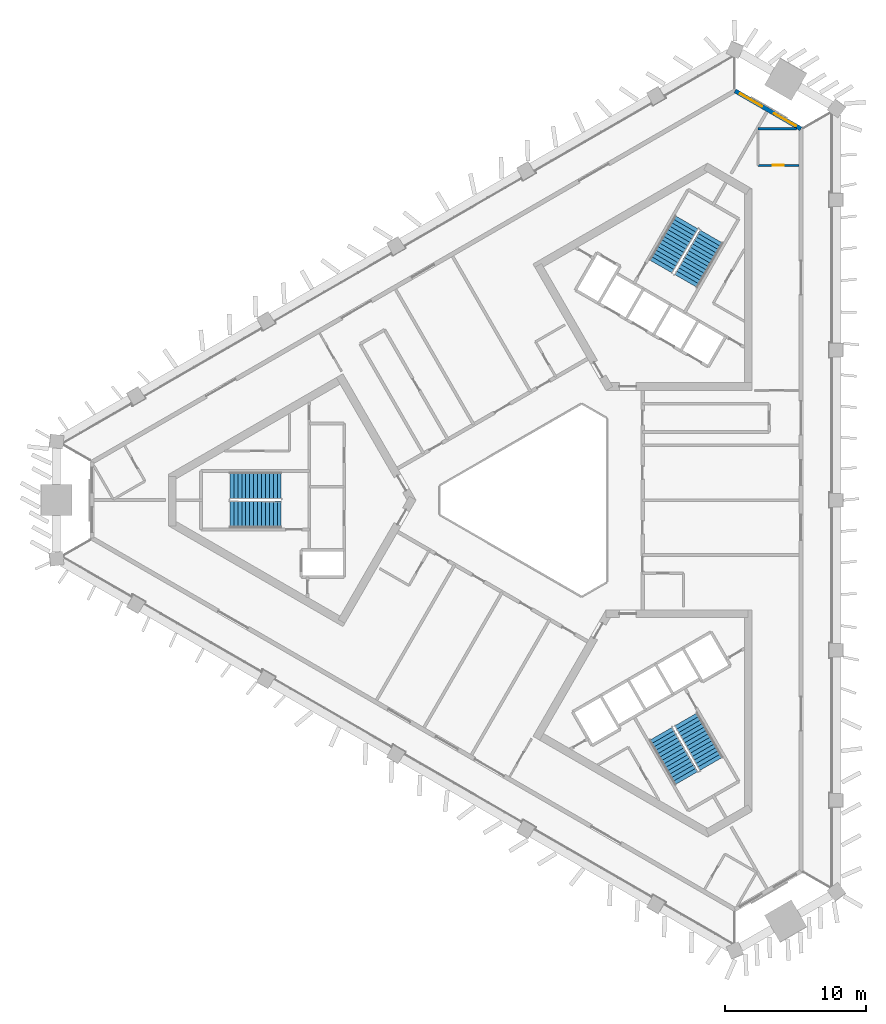
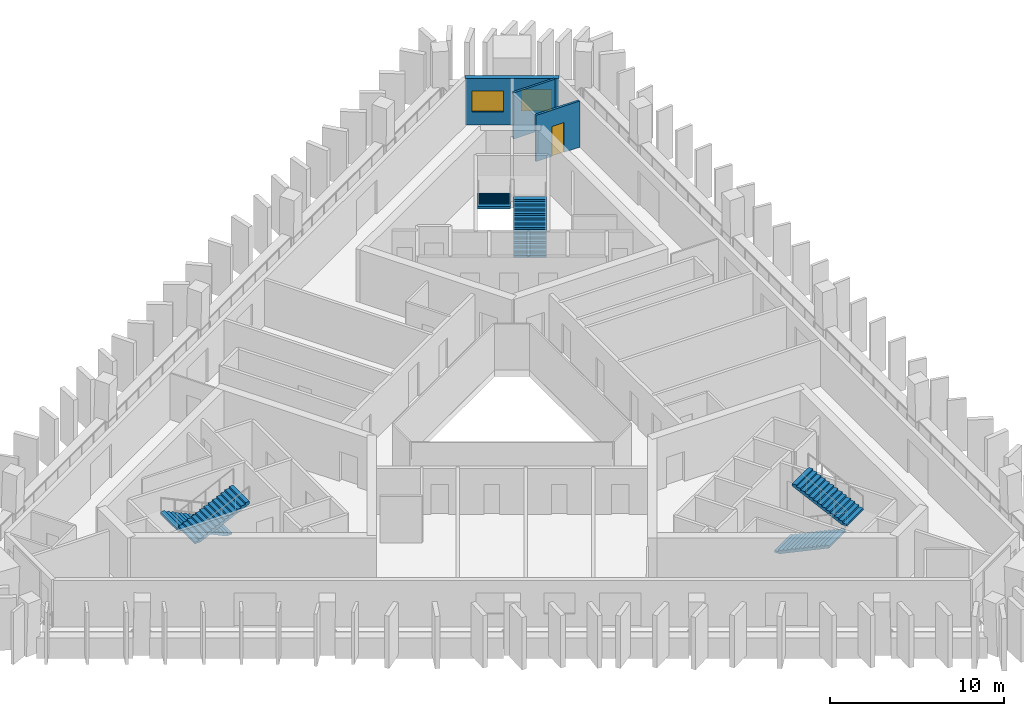
# One storey, part 6 of 9: 6 stair flights, 3 walls, 2 windows, 1 door, 3 openings, 3 elements without a shape of their own.
"""IFC4 building model written with IfcOpenShell, lengths in metres."""

from ifc_helpers import new_model, si_unit, direction, frame, frame_2d, origin, place, context, subcontext, project, spatial, polyline, rectangle, outline, extrude, material, layer, layer_set, type_object, element, fill, aggregate, save


model = new_model("IFC4")

# Units and contexts
model_context = context("Model", 3, precision=1e-05, world=origin(), true_north=direction((0.0, 1.0)))
body_context = subcontext(model_context, "Body", "Model", "MODEL_VIEW")
ifc_project = project(units=[si_unit("LENGTHUNIT", "METRE"), si_unit("AREAUNIT", "SQUARE_METRE"), si_unit("VOLUMEUNIT", "CUBIC_METRE"), si_unit("PLANEANGLEUNIT", "RADIAN"), si_unit("MASSUNIT", "GRAM", prefix="KILO")], contexts=[model_context])

# Site, building, storey
site_placement = place(None, origin())
site = spatial("IfcSite", under=ifc_project, at=site_placement, CompositionType="ELEMENT")
building_placement = place(site_placement, origin())
building = spatial("IfcBuilding", under=site, at=building_placement, Name="Jabali Bay Hotel Tower and Convention Centre", CompositionType="ELEMENT")
storey_placement = place(building_placement, frame((0.0, 0.0, 185.89990234375)))
storey = spatial("IfcBuildingStorey", under=building, at=storey_placement, Name="L45", CompositionType="ELEMENT", Elevation=185.89990234375)

# Wall, openings, windows
ifc_material_1 = material(Name="Concrete C40", Category="concrete")
ifc_layer_1 = layer(ifc_material_1, 0.300048828125)
ifc_layer_set_1 = layer_set([ifc_layer_1], Name="Concrete C40")
wall_type_1 = type_object("IfcWallType", Name="External wall 300", PredefinedType="SOLIDWALL", material=ifc_layer_set_1)
wall_1_placement = place(storey_placement, frame((88.676513671875, 109.087890625, 0.0), z_axis=(0.0, 0.0, 1.0), x_axis=(0.866025202232, -0.500000349099, 0.0)))
wall_1 = element("IfcWall", 1, at=wall_1_placement, inside=storey, type_object=wall_type_1, Name="External wall north-east chamfer L45", PredefinedType="SOLIDWALL", context=body_context, shape_type="SweptSolid", body=[
    extrude(rectangle(XDim=5.3994140625, YDim=0.300048828125, at=frame_2d((2.69970703125, 0.0))), origin(), (0.0, 0.0, 1.0), 3.25),
])
opening_1_placement = place(wall_1_placement, frame((3.208740234375, 0.0, 0.89990234375)))
opening_1 = element("IfcOpeningElement", 2, at=opening_1_placement, cuts=wall_1, Name="Opening W1", PredefinedType="OPENING", context=body_context, shape_type="SweptSolid", body=[
    extrude(rectangle(XDim=1.800048828125, YDim=1.5, at=frame_2d((0.89990234375, 0.75))), frame((0.0, 0.16064453125, 0.0), z_axis=(0.0, -1.0, 0.0), x_axis=(1.0, 0.0, 0.0)), (0.0, 0.0, 1.0), 0.321044921875),
])
opening_2_placement = place(wall_1_placement, frame((0.406982421875, 0.0, 0.89990234375)))
opening_2 = element("IfcOpeningElement", 3, at=opening_2_placement, cuts=wall_1, Name="Opening W1", PredefinedType="OPENING", context=body_context, shape_type="SweptSolid", body=[
    extrude(rectangle(XDim=1.800048828125, YDim=1.5, at=frame_2d((0.89990234375, 0.75))), frame((0.0, 0.16064453125, 0.0), z_axis=(0.0, -1.0, 0.0), x_axis=(1.0, 0.0, 0.0)), (0.0, 0.0, 1.0), 0.321044921875),
])
ifc_material_2 = material(Name="Glass", Category="glass")
window_type = type_object("IfcWindowType", Name="Window 1800 x 1500", PartitioningType="SINGLE_PANEL", PredefinedType="WINDOW", material=ifc_material_2)
window_1_placement = place(opening_1_placement, origin())
window_1 = element("IfcWindow", 4, at=window_1_placement, inside=storey, type_object=window_type, Name="Window 4504", OverallHeight=1.5, OverallWidth=1.800048828125, PartitioningType="SINGLE_PANEL", PredefinedType="WINDOW", context=body_context, shape_type="SweptSolid", body=[
    extrude(rectangle(XDim=1.800048828125, YDim=1.5, at=frame_2d((0.89990234375, 0.75))), frame((0.0, 0.030029296875, 0.0), z_axis=(0.0, -1.0, 0.0), x_axis=(1.0, 0.0, 0.0)), (0.0, 0.0, 1.0), 0.06005859375),
])
fill(opening_1, window_1)
window_2_placement = place(opening_2_placement, origin())
window_2 = element("IfcWindow", 5, at=window_2_placement, inside=storey, type_object=window_type, Name="Window 4506", OverallHeight=1.5, OverallWidth=1.800048828125, PartitioningType="SINGLE_PANEL", PredefinedType="WINDOW", context=body_context, shape_type="SweptSolid", body=[
    extrude(rectangle(XDim=1.800048828125, YDim=1.5, at=frame_2d((0.89990234375, 0.75))), frame((0.0, 0.030029296875, 0.0), z_axis=(0.0, -1.0, 0.0), x_axis=(1.0, 0.0, 0.0)), (0.0, 0.0, 1.0), 0.06005859375),
])
fill(opening_2, window_2)

# Wall, opening, door
ifc_material_3 = material(Name="Plasterboard on steel stud", Category="steel")
ifc_layer_2 = layer(ifc_material_3, 0.14990234375)
ifc_layer_set_2 = layer_set([ifc_layer_2], Name="Plasterboard on steel stud")
wall_type_2 = type_object("IfcWallType", Name="Partition 150 wet", PredefinedType="PARTITIONING", material=ifc_layer_set_2)
wall_2_placement = place(storey_placement, frame((93.20166015625, 103.794189453125, 0.0), z_axis=(0.0, 0.0, 1.0), x_axis=(-1.0, 0.0, 0.0)))
wall_2 = element("IfcWall", 6, at=wall_2_placement, inside=storey, type_object=wall_type_2, Name="Partition P03 L45 011", PredefinedType="PARTITIONING", context=body_context, shape_type="SweptSolid", body=[
    extrude(rectangle(XDim=2.900146484375, YDim=0.14990234375, at=frame_2d((1.4501953125, 0.0))), origin(), (0.0, 0.0, 1.0), 3.25),
])
opening_3_placement = place(wall_2_placement, frame((1.050048828125, 0.0, 0.0)))
opening_3 = element("IfcOpeningElement", 7, at=opening_3_placement, cuts=wall_2, Name="Opening 4507", PredefinedType="OPENING", context=body_context, shape_type="SweptSolid", body=[
    extrude(rectangle(XDim=0.800048828125, YDim=2.10009765625, at=frame_2d((0.39990234375, 1.050048828125))), frame((0.0, 0.08544921875, 0.0), z_axis=(0.0, -1.0, 0.0), x_axis=(1.0, 0.0, 0.0)), (0.0, 0.0, 1.0), 0.1708984375),
])
ifc_material_4 = material(Name="Timber", Category="wood")
door_type = type_object("IfcDoorType", Name="En-suite door 800 x 2100", OperationType="NOTDEFINED", PredefinedType="NOTDEFINED", material=ifc_material_4)
door_placement = place(opening_3_placement, origin())
door = element("IfcDoor", 8, at=door_placement, inside=storey, type_object=door_type, Name="Door 4507", OperationType="SINGLE_SWING_RIGHT", OverallHeight=2.10009765625, OverallWidth=0.800048828125, PredefinedType="NOTDEFINED", context=body_context, shape_type="SweptSolid", body=[
    extrude(rectangle(XDim=0.800048828125, YDim=2.10009765625, at=frame_2d((0.39990234375, 1.050048828125))), frame((0.0, 0.02490234375, 0.0), z_axis=(0.0, -1.0, 0.0), x_axis=(1.0, 0.0, 0.0)), (0.0, 0.0, 1.0), 0.050048828125),
])
fill(opening_3, door)

# Wall
wall_3_placement = place(storey_placement, frame((90.301513671875, 106.394287109375, 0.0), z_axis=(0.0, 0.0, 1.0), x_axis=(1.0, 0.0, 0.0)))
element("IfcWall", 9, at=wall_3_placement, inside=storey, type_object=wall_type_2, Name="Partition P03 L45 013", PredefinedType="PARTITIONING", context=body_context, shape_type="SweptSolid", body=[
    extrude(rectangle(XDim=2.742431640625, YDim=0.14990234375, at=frame_2d((1.37109375, 0.0))), origin(), (0.0, 0.0, 1.0), 3.25),
])

# Stair, stair flights
stair_type = type_object("IfcStairType", Name="Exit stair 1900", PredefinedType="HALF_TURN_STAIR", material=ifc_material_1)
stair_1_placement = place(storey_placement, origin())
stair_1 = element("IfcStair", 10, at=stair_1_placement, inside=storey, type_object=stair_type, Name="L45 Exit Stair 1", PredefinedType="HALF_TURN_STAIR")
stair_flight_type = type_object("IfcStairFlightType", Name="Stair flight concrete 150", PredefinedType="STRAIGHT", material=ifc_material_1)
stair_flight_1_placement = place(storey_placement, frame((56.419921875, 81.02490234375, 0.0), z_axis=(0.0, 0.0, 1.0), x_axis=(-1.0, 0.0, 0.0)))
stair_flight_1 = element("IfcStairFlight", 11, at=stair_flight_1_placement, type_object=stair_flight_type, Name="ST1 flight 1", NumberOfRisers=14, NumberOfTreads=13, PredefinedType="STRAIGHT", RiserHeight=0.132142857, TreadLength=0.28, context=body_context, shape_type="SweptSolid", body=[
    extrude(outline(polyline([(0.0, 0.0), (0.0, 0.132080078125), (0.280029296875, 0.132080078125), (0.280029296875, 0.264404296875), (0.56005859375, 0.264404296875), (0.56005859375, 0.396484375), (0.840087890625, 0.396484375), (0.840087890625, 0.528564453125), (1.1201171875, 0.528564453125), (1.1201171875, 0.66064453125), (1.39990234375, 0.66064453125), (1.39990234375, 0.79296875), (1.679931640625, 0.79296875), (1.679931640625, 0.925048828125), (1.9599609375, 0.925048828125), (1.9599609375, 1.05712890625), (2.239990234375, 1.05712890625), (2.239990234375, 1.189208984375), (2.52001953125, 1.189208984375), (2.52001953125, 1.321533203125), (2.800048828125, 1.321533203125), (2.800048828125, 1.45361328125), (3.080078125, 1.45361328125), (3.080078125, 1.585693359375), (3.360107421875, 1.585693359375), (3.360107421875, 1.7177734375), (3.639892578125, 1.7177734375), (3.639892578125, 1.85009765625), (3.639892578125, 1.552001953125), (0.351318359375, 0.0), (0.0, 0.0)])), frame((0.0, 0.949951171875, 0.0), z_axis=(0.0, -1.0, 0.0), x_axis=(1.0, 0.0, 0.0)), (0.0, 0.0, 1.0), 1.89990234375),
])
stair_flight_2_placement = place(storey_placement, frame((52.780029296875, 78.97509765625, 1.85009765625), z_axis=(0.0, 0.0, 1.0), x_axis=(1.0, 0.0, 0.0)))
stair_flight_2 = element("IfcStairFlight", 12, at=stair_flight_2_placement, type_object=stair_flight_type, Name="ST1 flight 2", NumberOfRisers=14, NumberOfTreads=13, PredefinedType="STRAIGHT", RiserHeight=0.132142857, TreadLength=0.28, context=body_context, shape_type="SweptSolid", body=[
    extrude(outline(polyline([(0.0, 0.0), (0.0, 0.132080078125), (0.280029296875, 0.132080078125), (0.280029296875, 0.264404296875), (0.56005859375, 0.264404296875), (0.56005859375, 0.396484375), (0.840087890625, 0.396484375), (0.840087890625, 0.528564453125), (1.1201171875, 0.528564453125), (1.1201171875, 0.66064453125), (1.39990234375, 0.66064453125), (1.39990234375, 0.79296875), (1.679931640625, 0.79296875), (1.679931640625, 0.925048828125), (1.9599609375, 0.925048828125), (1.9599609375, 1.05712890625), (2.239990234375, 1.05712890625), (2.239990234375, 1.189208984375), (2.52001953125, 1.189208984375), (2.52001953125, 1.321533203125), (2.800048828125, 1.321533203125), (2.800048828125, 1.45361328125), (3.080078125, 1.45361328125), (3.080078125, 1.585693359375), (3.360107421875, 1.585693359375), (3.360107421875, 1.7177734375), (3.639892578125, 1.7177734375), (3.639892578125, 1.85009765625), (3.639892578125, 1.552001953125), (0.351318359375, 0.0), (0.0, 0.0)])), frame((0.0, 0.949951171875, 0.0), z_axis=(0.0, -1.0, 0.0), x_axis=(1.0, 0.0, 0.0)), (0.0, 0.0, 1.0), 1.89990234375),
])
aggregate(stair_1, [stair_flight_1, stair_flight_2])

stair_2_placement = place(storey_placement, origin())
stair_2 = element("IfcStair", 13, at=stair_2_placement, inside=storey, type_object=stair_type, Name="L45 Exit Stair 2", PredefinedType="HALF_TURN_STAIR")
stair_flight_3_placement = place(storey_placement, frame((85.177734375, 95.578369140625, 0.0), z_axis=(0.0, 0.0, 1.0), x_axis=(0.5, 0.866025403784, 0.0)))
stair_flight_3 = element("IfcStairFlight", 14, at=stair_flight_3_placement, type_object=stair_flight_type, Name="ST2 flight 1", NumberOfRisers=14, NumberOfTreads=13, PredefinedType="STRAIGHT", RiserHeight=0.132142857, TreadLength=0.28, context=body_context, shape_type="SweptSolid", body=[
    extrude(outline(polyline([(0.0, 0.0), (0.0, 0.132080078125), (0.280029296875, 0.132080078125), (0.280029296875, 0.264404296875), (0.56005859375, 0.264404296875), (0.56005859375, 0.396484375), (0.840087890625, 0.396484375), (0.840087890625, 0.528564453125), (1.1201171875, 0.528564453125), (1.1201171875, 0.66064453125), (1.39990234375, 0.66064453125), (1.39990234375, 0.79296875), (1.679931640625, 0.79296875), (1.679931640625, 0.925048828125), (1.9599609375, 0.925048828125), (1.9599609375, 1.05712890625), (2.239990234375, 1.05712890625), (2.239990234375, 1.189208984375), (2.52001953125, 1.189208984375), (2.52001953125, 1.321533203125), (2.800048828125, 1.321533203125), (2.800048828125, 1.45361328125), (3.080078125, 1.45361328125), (3.080078125, 1.585693359375), (3.360107421875, 1.585693359375), (3.360107421875, 1.7177734375), (3.639892578125, 1.7177734375), (3.639892578125, 1.85009765625), (3.639892578125, 1.552001953125), (0.351318359375, 0.0), (0.0, 0.0)])), frame((0.0, 0.949951171875, 0.0), z_axis=(0.0, -1.0, 0.0), x_axis=(1.0, 0.0, 0.0)), (0.0, 0.0, 1.0), 1.89990234375),
])
stair_flight_4_placement = place(storey_placement, frame((85.222412109375, 99.755615234375, 1.85009765625), z_axis=(0.0, 0.0, 1.0), x_axis=(-0.5, -0.866025403784, 0.0)))
stair_flight_4 = element("IfcStairFlight", 15, at=stair_flight_4_placement, type_object=stair_flight_type, Name="ST2 flight 2", NumberOfRisers=14, NumberOfTreads=13, PredefinedType="STRAIGHT", RiserHeight=0.132142857, TreadLength=0.28, context=body_context, shape_type="SweptSolid", body=[
    extrude(outline(polyline([(0.0, 0.0), (0.0, 0.132080078125), (0.280029296875, 0.132080078125), (0.280029296875, 0.264404296875), (0.56005859375, 0.264404296875), (0.56005859375, 0.396484375), (0.840087890625, 0.396484375), (0.840087890625, 0.528564453125), (1.1201171875, 0.528564453125), (1.1201171875, 0.66064453125), (1.39990234375, 0.66064453125), (1.39990234375, 0.79296875), (1.679931640625, 0.79296875), (1.679931640625, 0.925048828125), (1.9599609375, 0.925048828125), (1.9599609375, 1.05712890625), (2.239990234375, 1.05712890625), (2.239990234375, 1.189208984375), (2.52001953125, 1.189208984375), (2.52001953125, 1.321533203125), (2.800048828125, 1.321533203125), (2.800048828125, 1.45361328125), (3.080078125, 1.45361328125), (3.080078125, 1.585693359375), (3.360107421875, 1.585693359375), (3.360107421875, 1.7177734375), (3.639892578125, 1.7177734375), (3.639892578125, 1.85009765625), (3.639892578125, 1.552001953125), (0.351318359375, 0.0), (0.0, 0.0)])), frame((0.0, 0.949951171875, 0.0), z_axis=(0.0, -1.0, 0.0), x_axis=(1.0, 0.0, 0.0)), (0.0, 0.0, 1.0), 1.89990234375),
])
aggregate(stair_2, [stair_flight_3, stair_flight_4])

stair_3_placement = place(storey_placement, origin())
stair_3 = element("IfcStair", 16, at=stair_3_placement, inside=storey, type_object=stair_type, Name="L45 Exit Stair 3", PredefinedType="HALF_TURN_STAIR")
stair_flight_5_placement = place(storey_placement, frame((83.40234375, 63.396728515625, 0.0), z_axis=(0.0, 0.0, 1.0), x_axis=(0.5, -0.866025403784, 0.0)))
stair_flight_5 = element("IfcStairFlight", 17, at=stair_flight_5_placement, type_object=stair_flight_type, Name="ST3 flight 1", NumberOfRisers=14, NumberOfTreads=13, PredefinedType="STRAIGHT", RiserHeight=0.132142857, TreadLength=0.28, context=body_context, shape_type="SweptSolid", body=[
    extrude(outline(polyline([(0.0, 0.0), (0.0, 0.132080078125), (0.280029296875, 0.132080078125), (0.280029296875, 0.264404296875), (0.56005859375, 0.264404296875), (0.56005859375, 0.396484375), (0.840087890625, 0.396484375), (0.840087890625, 0.528564453125), (1.1201171875, 0.528564453125), (1.1201171875, 0.66064453125), (1.39990234375, 0.66064453125), (1.39990234375, 0.79296875), (1.679931640625, 0.79296875), (1.679931640625, 0.925048828125), (1.9599609375, 0.925048828125), (1.9599609375, 1.05712890625), (2.239990234375, 1.05712890625), (2.239990234375, 1.189208984375), (2.52001953125, 1.189208984375), (2.52001953125, 1.321533203125), (2.800048828125, 1.321533203125), (2.800048828125, 1.45361328125), (3.080078125, 1.45361328125), (3.080078125, 1.585693359375), (3.360107421875, 1.585693359375), (3.360107421875, 1.7177734375), (3.639892578125, 1.7177734375), (3.639892578125, 1.85009765625), (3.639892578125, 1.552001953125), (0.351318359375, 0.0), (0.0, 0.0)])), frame((0.0, 0.949951171875, 0.0), z_axis=(0.0, -1.0, 0.0), x_axis=(1.0, 0.0, 0.0)), (0.0, 0.0, 1.0), 1.89990234375),
])
stair_flight_6_placement = place(storey_placement, frame((86.99755859375, 61.26953125, 1.85009765625), z_axis=(0.0, 0.0, 1.0), x_axis=(-0.5, 0.866025403784, 0.0)))
stair_flight_6 = element("IfcStairFlight", 18, at=stair_flight_6_placement, type_object=stair_flight_type, Name="ST3 flight 2", NumberOfRisers=14, NumberOfTreads=13, PredefinedType="STRAIGHT", RiserHeight=0.132142857, TreadLength=0.28, context=body_context, shape_type="SweptSolid", body=[
    extrude(outline(polyline([(0.0, 0.0), (0.0, 0.132080078125), (0.280029296875, 0.132080078125), (0.280029296875, 0.264404296875), (0.56005859375, 0.264404296875), (0.56005859375, 0.396484375), (0.840087890625, 0.396484375), (0.840087890625, 0.528564453125), (1.1201171875, 0.528564453125), (1.1201171875, 0.66064453125), (1.39990234375, 0.66064453125), (1.39990234375, 0.79296875), (1.679931640625, 0.79296875), (1.679931640625, 0.925048828125), (1.9599609375, 0.925048828125), (1.9599609375, 1.05712890625), (2.239990234375, 1.05712890625), (2.239990234375, 1.189208984375), (2.52001953125, 1.189208984375), (2.52001953125, 1.321533203125), (2.800048828125, 1.321533203125), (2.800048828125, 1.45361328125), (3.080078125, 1.45361328125), (3.080078125, 1.585693359375), (3.360107421875, 1.585693359375), (3.360107421875, 1.7177734375), (3.639892578125, 1.7177734375), (3.639892578125, 1.85009765625), (3.639892578125, 1.552001953125), (0.351318359375, 0.0), (0.0, 0.0)])), frame((0.0, 0.949951171875, 0.0), z_axis=(0.0, -1.0, 0.0), x_axis=(1.0, 0.0, 0.0)), (0.0, 0.0, 1.0), 1.89990234375),
])
aggregate(stair_3, [stair_flight_5, stair_flight_6])

save(model, "model.ifc")
